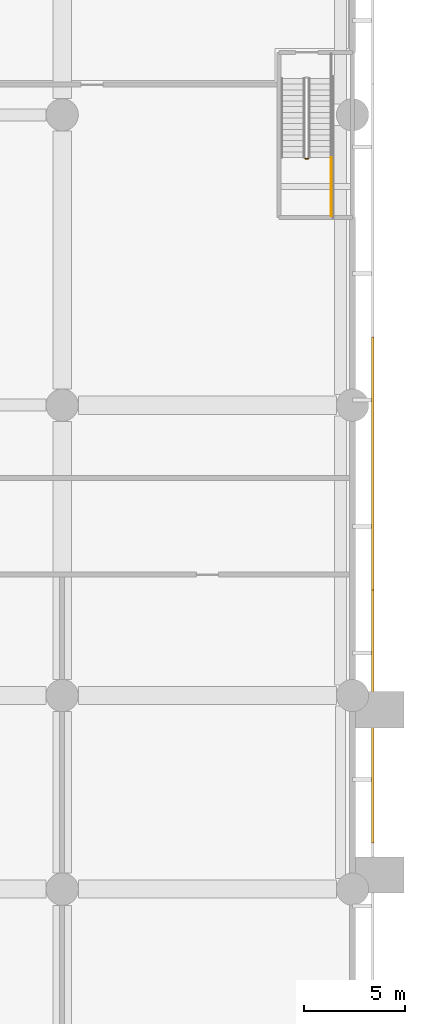
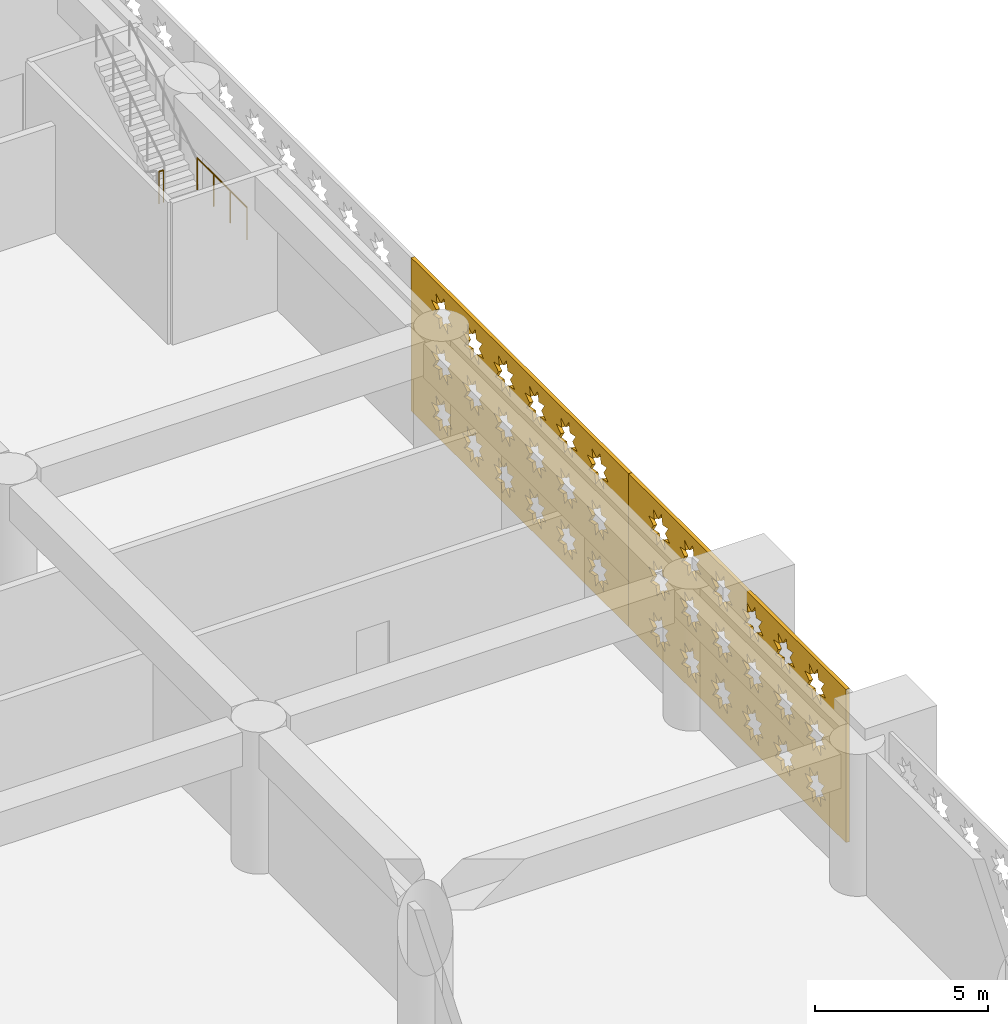
# One storey, part 21 of 30: 2 coverings, 2 railings.
"""IFC4 building model written with IfcOpenShell, lengths in metres."""

from ifc_helpers import new_model, si_unit, direction, frame, origin, origin_2d, place, context, subcontext, project, spatial, polyline, circle, outline, extrude, material, layer, layer_set, type_object, element, save


model = new_model("IFC4")

# Units and contexts
model_context = context("Model", 3, precision=1e-05, world=origin(), true_north=direction((0.0, 1.0)))
body_context = subcontext(model_context, "Body", "Model", "MODEL_VIEW")
ifc_project = project(units=[si_unit("LENGTHUNIT", "METRE"), si_unit("AREAUNIT", "SQUARE_METRE"), si_unit("VOLUMEUNIT", "CUBIC_METRE"), si_unit("PLANEANGLEUNIT", "RADIAN"), si_unit("MASSUNIT", "GRAM", prefix="KILO")], contexts=[model_context])

# Site, building, storey
site_placement = place(None, origin())
site = spatial("IfcSite", under=ifc_project, at=site_placement, CompositionType="ELEMENT")
building_placement = place(site_placement, origin())
building = spatial("IfcBuilding", under=site, at=building_placement, Name="Saffron Iwan Residences", CompositionType="ELEMENT")
storey_placement = place(building_placement, frame((0.0, 0.0, 7.800048828125)))
storey = spatial("IfcBuildingStorey", under=building, at=storey_placement, Name="L01", CompositionType="ELEMENT", Elevation=7.800048828125)

# Coverings
ifc_material_1 = material(Name="Terracotta screen, precast concrete C40/50", Category="masonry")
ifc_layer = layer(ifc_material_1, 0.1201171875)
ifc_layer_set = layer_set([ifc_layer], Name="Terracotta screen, precast concrete C40/50")
covering_type = type_object("IfcCoveringType", Name="PODIUM SCREEN GIRIH", PredefinedType="CLADDING", material=ifc_layer_set)
covering_1_placement = place(storey_placement, frame((101.75, 11.895751953125, -0.400146484375), z_axis=(1.0, 0.0, 0.0), x_axis=(0.0, 1.0, 0.0)))
element("IfcCovering", 1, at=covering_1_placement, inside=storey, type_object=covering_type, Name="SCREEN girih terracotta L01 F1.1", PredefinedType="CLADDING", context=body_context, shape_type="SweptSolid", body=[
    extrude(outline(polyline([(0.0, 0.0), (12.545654296875, 0.0), (12.545654296875, 5.39990234375), (0.0, 5.39990234375), (0.0, 0.0)]), holes=[polyline([(2.380859375, 1.02099609375), (2.0556640625, 1.0888671875), (2.1171875, 1.41552734375), (1.839111328125, 1.2333984375), (1.65185546875, 1.508056640625), (1.583984375, 1.1826171875), (1.25732421875, 1.244384765625), (1.439453125, 0.96630859375), (1.164794921875, 0.779052734375), (1.490234375, 0.711181640625), (1.428466796875, 0.384521484375), (1.70654296875, 0.56640625), (1.893798828125, 0.2919921875), (1.9619140625, 0.6171875), (2.288330078125, 0.555419921875), (2.106201171875, 0.833740234375), (2.380859375, 1.02099609375)]), polyline([(2.380859375, 2.821044921875), (2.0556640625, 2.888916015625), (2.1171875, 3.215576171875), (1.839111328125, 3.033447265625), (1.65185546875, 3.30810546875), (1.583984375, 2.982666015625), (1.25732421875, 3.04443359375), (1.439453125, 2.766357421875), (1.164794921875, 2.5791015625), (1.490234375, 2.510986328125), (1.428466796875, 2.1845703125), (1.70654296875, 2.366455078125), (1.893798828125, 2.091796875), (1.9619140625, 2.417236328125), (2.288330078125, 2.35546875), (2.106201171875, 2.6337890625), (2.380859375, 2.821044921875)]), polyline([(2.380859375, 4.62109375), (2.0556640625, 4.68896484375), (2.1171875, 5.015380859375), (1.839111328125, 4.83349609375), (1.65185546875, 5.108154296875), (1.583984375, 4.78271484375), (1.25732421875, 4.844482421875), (1.439453125, 4.56640625), (1.164794921875, 4.37890625), (1.490234375, 4.31103515625), (1.428466796875, 3.984619140625), (1.70654296875, 4.16650390625), (1.893798828125, 3.891845703125), (1.9619140625, 4.21728515625), (2.288330078125, 4.155517578125), (2.106201171875, 4.43359375), (2.380859375, 4.62109375)]), polyline([(4.180908203125, 1.02099609375), (3.855712890625, 1.0888671875), (3.917236328125, 1.41552734375), (3.63916015625, 1.2333984375), (3.451904296875, 1.508056640625), (3.384033203125, 1.1826171875), (3.057373046875, 1.244384765625), (3.239501953125, 0.96630859375), (2.96484375, 0.779052734375), (3.290283203125, 0.711181640625), (3.228515625, 0.384521484375), (3.506591796875, 0.56640625), (3.69384765625, 0.2919921875), (3.76171875, 0.6171875), (4.08837890625, 0.555419921875), (3.90625, 0.833740234375), (4.180908203125, 1.02099609375)]), polyline([(4.180908203125, 2.821044921875), (3.855712890625, 2.888916015625), (3.917236328125, 3.215576171875), (3.63916015625, 3.033447265625), (3.451904296875, 3.30810546875), (3.384033203125, 2.982666015625), (3.057373046875, 3.04443359375), (3.239501953125, 2.766357421875), (2.96484375, 2.5791015625), (3.290283203125, 2.510986328125), (3.228515625, 2.1845703125), (3.506591796875, 2.366455078125), (3.69384765625, 2.091796875), (3.76171875, 2.417236328125), (4.08837890625, 2.35546875), (3.90625, 2.6337890625), (4.180908203125, 2.821044921875)]), polyline([(4.180908203125, 4.62109375), (3.855712890625, 4.68896484375), (3.917236328125, 5.015380859375), (3.63916015625, 4.83349609375), (3.451904296875, 5.108154296875), (3.384033203125, 4.78271484375), (3.057373046875, 4.844482421875), (3.239501953125, 4.56640625), (2.96484375, 4.37890625), (3.290283203125, 4.31103515625), (3.228515625, 3.984619140625), (3.506591796875, 4.16650390625), (3.69384765625, 3.891845703125), (3.76171875, 4.21728515625), (4.08837890625, 4.155517578125), (3.90625, 4.43359375), (4.180908203125, 4.62109375)]), polyline([(5.98095703125, 1.02099609375), (5.655517578125, 1.0888671875), (5.71728515625, 1.41552734375), (5.439208984375, 1.2333984375), (5.251953125, 1.508056640625), (5.18408203125, 1.1826171875), (4.857421875, 1.244384765625), (5.039306640625, 0.96630859375), (4.764892578125, 0.779052734375), (5.090087890625, 0.711181640625), (5.0283203125, 0.384521484375), (5.306396484375, 0.56640625), (5.493896484375, 0.2919921875), (5.561767578125, 0.6171875), (5.888427734375, 0.555419921875), (5.706298828125, 0.833740234375), (5.98095703125, 1.02099609375)]), polyline([(5.98095703125, 2.821044921875), (5.655517578125, 2.888916015625), (5.71728515625, 3.215576171875), (5.439208984375, 3.033447265625), (5.251953125, 3.30810546875), (5.18408203125, 2.982666015625), (4.857421875, 3.04443359375), (5.039306640625, 2.766357421875), (4.764892578125, 2.5791015625), (5.090087890625, 2.510986328125), (5.0283203125, 2.1845703125), (5.306396484375, 2.366455078125), (5.493896484375, 2.091796875), (5.561767578125, 2.417236328125), (5.888427734375, 2.35546875), (5.706298828125, 2.6337890625), (5.98095703125, 2.821044921875)]), polyline([(5.98095703125, 4.62109375), (5.655517578125, 4.68896484375), (5.71728515625, 5.015380859375), (5.439208984375, 4.83349609375), (5.251953125, 5.108154296875), (5.18408203125, 4.78271484375), (4.857421875, 4.844482421875), (5.039306640625, 4.56640625), (4.764892578125, 4.37890625), (5.090087890625, 4.31103515625), (5.0283203125, 3.984619140625), (5.306396484375, 4.16650390625), (5.493896484375, 3.891845703125), (5.561767578125, 4.21728515625), (5.888427734375, 4.155517578125), (5.706298828125, 4.43359375), (5.98095703125, 4.62109375)]), polyline([(7.781005859375, 1.02099609375), (7.45556640625, 1.0888671875), (7.517333984375, 1.41552734375), (7.2392578125, 1.2333984375), (7.052001953125, 1.508056640625), (6.98388671875, 1.1826171875), (6.6572265625, 1.244384765625), (6.83935546875, 0.96630859375), (6.564697265625, 0.779052734375), (6.89013671875, 0.711181640625), (6.828369140625, 0.384521484375), (7.1064453125, 0.56640625), (7.293701171875, 0.2919921875), (7.36181640625, 0.6171875), (7.6884765625, 0.555419921875), (7.50634765625, 0.833740234375), (7.781005859375, 1.02099609375)]), polyline([(7.781005859375, 2.821044921875), (7.45556640625, 2.888916015625), (7.517333984375, 3.215576171875), (7.2392578125, 3.033447265625), (7.052001953125, 3.30810546875), (6.98388671875, 2.982666015625), (6.6572265625, 3.04443359375), (6.83935546875, 2.766357421875), (6.564697265625, 2.5791015625), (6.89013671875, 2.510986328125), (6.828369140625, 2.1845703125), (7.1064453125, 2.366455078125), (7.293701171875, 2.091796875), (7.36181640625, 2.417236328125), (7.6884765625, 2.35546875), (7.50634765625, 2.6337890625), (7.781005859375, 2.821044921875)]), polyline([(7.781005859375, 4.62109375), (7.45556640625, 4.68896484375), (7.517333984375, 5.015380859375), (7.2392578125, 4.83349609375), (7.052001953125, 5.108154296875), (6.98388671875, 4.78271484375), (6.6572265625, 4.844482421875), (6.83935546875, 4.56640625), (6.564697265625, 4.37890625), (6.89013671875, 4.31103515625), (6.828369140625, 3.984619140625), (7.1064453125, 4.16650390625), (7.293701171875, 3.891845703125), (7.36181640625, 4.21728515625), (7.6884765625, 4.155517578125), (7.50634765625, 4.43359375), (7.781005859375, 4.62109375)]), polyline([(9.580810546875, 1.02099609375), (9.255615234375, 1.0888671875), (9.3173828125, 1.41552734375), (9.039306640625, 1.2333984375), (8.851806640625, 1.508056640625), (8.783935546875, 1.1826171875), (8.457275390625, 1.244384765625), (8.639404296875, 0.96630859375), (8.36474609375, 0.779052734375), (8.690185546875, 0.711181640625), (8.62841796875, 0.384521484375), (8.906494140625, 0.56640625), (9.09375, 0.2919921875), (9.161865234375, 0.6171875), (9.48828125, 0.555419921875), (9.306396484375, 0.833740234375), (9.580810546875, 1.02099609375)]), polyline([(9.580810546875, 2.821044921875), (9.255615234375, 2.888916015625), (9.3173828125, 3.215576171875), (9.039306640625, 3.033447265625), (8.851806640625, 3.30810546875), (8.783935546875, 2.982666015625), (8.457275390625, 3.04443359375), (8.639404296875, 2.766357421875), (8.36474609375, 2.5791015625), (8.690185546875, 2.510986328125), (8.62841796875, 2.1845703125), (8.906494140625, 2.366455078125), (9.09375, 2.091796875), (9.161865234375, 2.417236328125), (9.48828125, 2.35546875), (9.306396484375, 2.6337890625), (9.580810546875, 2.821044921875)]), polyline([(9.580810546875, 4.62109375), (9.255615234375, 4.68896484375), (9.3173828125, 5.015380859375), (9.039306640625, 4.83349609375), (8.851806640625, 5.108154296875), (8.783935546875, 4.78271484375), (8.457275390625, 4.844482421875), (8.639404296875, 4.56640625), (8.36474609375, 4.37890625), (8.690185546875, 4.31103515625), (8.62841796875, 3.984619140625), (8.906494140625, 4.16650390625), (9.09375, 3.891845703125), (9.161865234375, 4.21728515625), (9.48828125, 4.155517578125), (9.306396484375, 4.43359375), (9.580810546875, 4.62109375)]), polyline([(11.380859375, 1.02099609375), (11.0556640625, 1.0888671875), (11.1171875, 1.41552734375), (10.839111328125, 1.2333984375), (10.65185546875, 1.508056640625), (10.583984375, 1.1826171875), (10.25732421875, 1.244384765625), (10.439453125, 0.96630859375), (10.164794921875, 0.779052734375), (10.490234375, 0.711181640625), (10.428466796875, 0.384521484375), (10.70654296875, 0.56640625), (10.893798828125, 0.2919921875), (10.9619140625, 0.6171875), (11.288330078125, 0.555419921875), (11.106201171875, 0.833740234375), (11.380859375, 1.02099609375)]), polyline([(11.380859375, 2.821044921875), (11.0556640625, 2.888916015625), (11.1171875, 3.215576171875), (10.839111328125, 3.033447265625), (10.65185546875, 3.30810546875), (10.583984375, 2.982666015625), (10.25732421875, 3.04443359375), (10.439453125, 2.766357421875), (10.164794921875, 2.5791015625), (10.490234375, 2.510986328125), (10.428466796875, 2.1845703125), (10.70654296875, 2.366455078125), (10.893798828125, 2.091796875), (10.9619140625, 2.417236328125), (11.288330078125, 2.35546875), (11.106201171875, 2.6337890625), (11.380859375, 2.821044921875)]), polyline([(11.380859375, 4.62109375), (11.0556640625, 4.68896484375), (11.1171875, 5.015380859375), (10.839111328125, 4.83349609375), (10.65185546875, 5.108154296875), (10.583984375, 4.78271484375), (10.25732421875, 4.844482421875), (10.439453125, 4.56640625), (10.164794921875, 4.37890625), (10.490234375, 4.31103515625), (10.428466796875, 3.984619140625), (10.70654296875, 4.16650390625), (10.893798828125, 3.891845703125), (10.9619140625, 4.21728515625), (11.288330078125, 4.155517578125), (11.106201171875, 4.43359375), (11.380859375, 4.62109375)])]), origin(), (0.0, 0.0, 1.0), 0.1201171875),
])
covering_2_placement = place(storey_placement, frame((101.75, 24.44140625, -0.400146484375), z_axis=(1.0, 0.0, 0.0), x_axis=(0.0, 1.0, 0.0)))
element("IfcCovering", 2, at=covering_2_placement, inside=storey, type_object=covering_type, Name="SCREEN girih terracotta L01 F1.2", PredefinedType="CLADDING", context=body_context, shape_type="SweptSolid", body=[
    extrude(outline(polyline([(0.0, 0.0), (12.545654296875, 0.0), (12.545654296875, 5.39990234375), (0.0, 5.39990234375), (0.0, 0.0)]), holes=[polyline([(2.380859375, 1.02099609375), (2.0556640625, 1.0888671875), (2.1171875, 1.41552734375), (1.839111328125, 1.2333984375), (1.65185546875, 1.508056640625), (1.583984375, 1.1826171875), (1.25732421875, 1.244384765625), (1.439453125, 0.96630859375), (1.164794921875, 0.779052734375), (1.490234375, 0.711181640625), (1.428466796875, 0.384521484375), (1.70654296875, 0.56640625), (1.893798828125, 0.2919921875), (1.9619140625, 0.6171875), (2.288330078125, 0.555419921875), (2.106201171875, 0.833740234375), (2.380859375, 1.02099609375)]), polyline([(2.380859375, 2.821044921875), (2.0556640625, 2.888916015625), (2.1171875, 3.215576171875), (1.839111328125, 3.033447265625), (1.65185546875, 3.30810546875), (1.583984375, 2.982666015625), (1.25732421875, 3.04443359375), (1.439453125, 2.766357421875), (1.164794921875, 2.5791015625), (1.490234375, 2.510986328125), (1.428466796875, 2.1845703125), (1.70654296875, 2.366455078125), (1.893798828125, 2.091796875), (1.9619140625, 2.417236328125), (2.288330078125, 2.35546875), (2.106201171875, 2.6337890625), (2.380859375, 2.821044921875)]), polyline([(2.380859375, 4.62109375), (2.0556640625, 4.68896484375), (2.1171875, 5.015380859375), (1.839111328125, 4.83349609375), (1.65185546875, 5.108154296875), (1.583984375, 4.78271484375), (1.25732421875, 4.844482421875), (1.439453125, 4.56640625), (1.164794921875, 4.37890625), (1.490234375, 4.31103515625), (1.428466796875, 3.984619140625), (1.70654296875, 4.16650390625), (1.893798828125, 3.891845703125), (1.9619140625, 4.21728515625), (2.288330078125, 4.155517578125), (2.106201171875, 4.43359375), (2.380859375, 4.62109375)]), polyline([(4.180908203125, 1.02099609375), (3.855712890625, 1.0888671875), (3.917236328125, 1.41552734375), (3.63916015625, 1.2333984375), (3.451904296875, 1.508056640625), (3.384033203125, 1.1826171875), (3.057373046875, 1.244384765625), (3.239501953125, 0.96630859375), (2.96484375, 0.779052734375), (3.290283203125, 0.711181640625), (3.228515625, 0.384521484375), (3.506591796875, 0.56640625), (3.69384765625, 0.2919921875), (3.76171875, 0.6171875), (4.08837890625, 0.555419921875), (3.90625, 0.833740234375), (4.180908203125, 1.02099609375)]), polyline([(4.180908203125, 2.821044921875), (3.855712890625, 2.888916015625), (3.917236328125, 3.215576171875), (3.63916015625, 3.033447265625), (3.451904296875, 3.30810546875), (3.384033203125, 2.982666015625), (3.057373046875, 3.04443359375), (3.239501953125, 2.766357421875), (2.96484375, 2.5791015625), (3.290283203125, 2.510986328125), (3.228515625, 2.1845703125), (3.506591796875, 2.366455078125), (3.69384765625, 2.091796875), (3.76171875, 2.417236328125), (4.08837890625, 2.35546875), (3.90625, 2.6337890625), (4.180908203125, 2.821044921875)]), polyline([(4.180908203125, 4.62109375), (3.855712890625, 4.68896484375), (3.917236328125, 5.015380859375), (3.63916015625, 4.83349609375), (3.451904296875, 5.108154296875), (3.384033203125, 4.78271484375), (3.057373046875, 4.844482421875), (3.239501953125, 4.56640625), (2.96484375, 4.37890625), (3.290283203125, 4.31103515625), (3.228515625, 3.984619140625), (3.506591796875, 4.16650390625), (3.69384765625, 3.891845703125), (3.76171875, 4.21728515625), (4.08837890625, 4.155517578125), (3.90625, 4.43359375), (4.180908203125, 4.62109375)]), polyline([(5.98095703125, 1.02099609375), (5.655517578125, 1.0888671875), (5.71728515625, 1.41552734375), (5.439208984375, 1.2333984375), (5.251953125, 1.508056640625), (5.18408203125, 1.1826171875), (4.857421875, 1.244384765625), (5.039306640625, 0.96630859375), (4.764892578125, 0.779052734375), (5.090087890625, 0.711181640625), (5.0283203125, 0.384521484375), (5.306396484375, 0.56640625), (5.493896484375, 0.2919921875), (5.561767578125, 0.6171875), (5.888427734375, 0.555419921875), (5.706298828125, 0.833740234375), (5.98095703125, 1.02099609375)]), polyline([(5.98095703125, 2.821044921875), (5.655517578125, 2.888916015625), (5.71728515625, 3.215576171875), (5.439208984375, 3.033447265625), (5.251953125, 3.30810546875), (5.18408203125, 2.982666015625), (4.857421875, 3.04443359375), (5.039306640625, 2.766357421875), (4.764892578125, 2.5791015625), (5.090087890625, 2.510986328125), (5.0283203125, 2.1845703125), (5.306396484375, 2.366455078125), (5.493896484375, 2.091796875), (5.561767578125, 2.417236328125), (5.888427734375, 2.35546875), (5.706298828125, 2.6337890625), (5.98095703125, 2.821044921875)]), polyline([(5.98095703125, 4.62109375), (5.655517578125, 4.68896484375), (5.71728515625, 5.015380859375), (5.439208984375, 4.83349609375), (5.251953125, 5.108154296875), (5.18408203125, 4.78271484375), (4.857421875, 4.844482421875), (5.039306640625, 4.56640625), (4.764892578125, 4.37890625), (5.090087890625, 4.31103515625), (5.0283203125, 3.984619140625), (5.306396484375, 4.16650390625), (5.493896484375, 3.891845703125), (5.561767578125, 4.21728515625), (5.888427734375, 4.155517578125), (5.706298828125, 4.43359375), (5.98095703125, 4.62109375)]), polyline([(7.781005859375, 1.02099609375), (7.45556640625, 1.0888671875), (7.517333984375, 1.41552734375), (7.2392578125, 1.2333984375), (7.052001953125, 1.508056640625), (6.98388671875, 1.1826171875), (6.6572265625, 1.244384765625), (6.83935546875, 0.96630859375), (6.564697265625, 0.779052734375), (6.89013671875, 0.711181640625), (6.828369140625, 0.384521484375), (7.1064453125, 0.56640625), (7.293701171875, 0.2919921875), (7.36181640625, 0.6171875), (7.6884765625, 0.555419921875), (7.50634765625, 0.833740234375), (7.781005859375, 1.02099609375)]), polyline([(7.781005859375, 2.821044921875), (7.45556640625, 2.888916015625), (7.517333984375, 3.215576171875), (7.2392578125, 3.033447265625), (7.052001953125, 3.30810546875), (6.98388671875, 2.982666015625), (6.6572265625, 3.04443359375), (6.83935546875, 2.766357421875), (6.564697265625, 2.5791015625), (6.89013671875, 2.510986328125), (6.828369140625, 2.1845703125), (7.1064453125, 2.366455078125), (7.293701171875, 2.091796875), (7.36181640625, 2.417236328125), (7.6884765625, 2.35546875), (7.50634765625, 2.6337890625), (7.781005859375, 2.821044921875)]), polyline([(7.781005859375, 4.62109375), (7.45556640625, 4.68896484375), (7.517333984375, 5.015380859375), (7.2392578125, 4.83349609375), (7.052001953125, 5.108154296875), (6.98388671875, 4.78271484375), (6.6572265625, 4.844482421875), (6.83935546875, 4.56640625), (6.564697265625, 4.37890625), (6.89013671875, 4.31103515625), (6.828369140625, 3.984619140625), (7.1064453125, 4.16650390625), (7.293701171875, 3.891845703125), (7.36181640625, 4.21728515625), (7.6884765625, 4.155517578125), (7.50634765625, 4.43359375), (7.781005859375, 4.62109375)]), polyline([(9.580810546875, 1.02099609375), (9.255615234375, 1.0888671875), (9.3173828125, 1.41552734375), (9.039306640625, 1.2333984375), (8.851806640625, 1.508056640625), (8.783935546875, 1.1826171875), (8.457275390625, 1.244384765625), (8.639404296875, 0.96630859375), (8.36474609375, 0.779052734375), (8.690185546875, 0.711181640625), (8.62841796875, 0.384521484375), (8.906494140625, 0.56640625), (9.09375, 0.2919921875), (9.161865234375, 0.6171875), (9.48828125, 0.555419921875), (9.306396484375, 0.833740234375), (9.580810546875, 1.02099609375)]), polyline([(9.580810546875, 2.821044921875), (9.255615234375, 2.888916015625), (9.3173828125, 3.215576171875), (9.039306640625, 3.033447265625), (8.851806640625, 3.30810546875), (8.783935546875, 2.982666015625), (8.457275390625, 3.04443359375), (8.639404296875, 2.766357421875), (8.36474609375, 2.5791015625), (8.690185546875, 2.510986328125), (8.62841796875, 2.1845703125), (8.906494140625, 2.366455078125), (9.09375, 2.091796875), (9.161865234375, 2.417236328125), (9.48828125, 2.35546875), (9.306396484375, 2.6337890625), (9.580810546875, 2.821044921875)]), polyline([(9.580810546875, 4.62109375), (9.255615234375, 4.68896484375), (9.3173828125, 5.015380859375), (9.039306640625, 4.83349609375), (8.851806640625, 5.108154296875), (8.783935546875, 4.78271484375), (8.457275390625, 4.844482421875), (8.639404296875, 4.56640625), (8.36474609375, 4.37890625), (8.690185546875, 4.31103515625), (8.62841796875, 3.984619140625), (8.906494140625, 4.16650390625), (9.09375, 3.891845703125), (9.161865234375, 4.21728515625), (9.48828125, 4.155517578125), (9.306396484375, 4.43359375), (9.580810546875, 4.62109375)]), polyline([(11.380859375, 1.02099609375), (11.0556640625, 1.0888671875), (11.1171875, 1.41552734375), (10.839111328125, 1.2333984375), (10.65185546875, 1.508056640625), (10.583984375, 1.1826171875), (10.25732421875, 1.244384765625), (10.439453125, 0.96630859375), (10.164794921875, 0.779052734375), (10.490234375, 0.711181640625), (10.428466796875, 0.384521484375), (10.70654296875, 0.56640625), (10.893798828125, 0.2919921875), (10.9619140625, 0.6171875), (11.288330078125, 0.555419921875), (11.106201171875, 0.833740234375), (11.380859375, 1.02099609375)]), polyline([(11.380859375, 2.821044921875), (11.0556640625, 2.888916015625), (11.1171875, 3.215576171875), (10.839111328125, 3.033447265625), (10.65185546875, 3.30810546875), (10.583984375, 2.982666015625), (10.25732421875, 3.04443359375), (10.439453125, 2.766357421875), (10.164794921875, 2.5791015625), (10.490234375, 2.510986328125), (10.428466796875, 2.1845703125), (10.70654296875, 2.366455078125), (10.893798828125, 2.091796875), (10.9619140625, 2.417236328125), (11.288330078125, 2.35546875), (11.106201171875, 2.6337890625), (11.380859375, 2.821044921875)]), polyline([(11.380859375, 4.62109375), (11.0556640625, 4.68896484375), (11.1171875, 5.015380859375), (10.839111328125, 4.83349609375), (10.65185546875, 5.108154296875), (10.583984375, 4.78271484375), (10.25732421875, 4.844482421875), (10.439453125, 4.56640625), (10.164794921875, 4.37890625), (10.490234375, 4.31103515625), (10.428466796875, 3.984619140625), (10.70654296875, 4.16650390625), (10.893798828125, 3.891845703125), (10.9619140625, 4.21728515625), (11.288330078125, 4.155517578125), (11.106201171875, 4.43359375), (11.380859375, 4.62109375)])]), origin(), (0.0, 0.0, 1.0), 0.1201171875),
])

# Railings
ifc_material_2 = material(Name="Steel S355", Category="steel")
railing_type = type_object("IfcRailingType", Name="Podium stair guard 1150", PredefinedType="GUARDRAIL", material=ifc_material_2)
railing_1_placement = place(storey_placement, frame((98.449951171875, 45.830078125, 2.699951171875)))
element("IfcRailing", 3, at=railing_1_placement, inside=storey, type_object=railing_type, Name="L01 PS2 stair guard 2", PredefinedType="GUARDRAIL", context=body_context, shape_type="SweptSolid", body=[
    extrude(circle(Radius=0.02392578125, at=origin_2d()), frame((0.0, 0.0, 1.1259765625), z_axis=(1.0, 0.0, 0.0), x_axis=(0.0, 1.0, 0.0)), (0.0, 0.0, 1.0), 0.150146484375),
    extrude(circle(Radius=0.02099609375, at=origin_2d()), origin(), (0.0, 0.0, 1.0), 1.101806640625),
    extrude(circle(Radius=0.02099609375, at=origin_2d()), frame((0.150146484375, 0.0, 0.0)), (0.0, 0.0, 1.0), 1.101806640625),
])
railing_2_placement = place(storey_placement, frame((99.75, 45.8798828125, 2.699951171875)))
element("IfcRailing", 4, at=railing_2_placement, inside=storey, type_object=railing_type, Name="L01 PS2 stair guard 3", PredefinedType="GUARDRAIL", context=body_context, shape_type="SweptSolid", body=[
    extrude(circle(Radius=0.02392578125, at=origin_2d()), frame((0.0, 0.0, 1.1259765625), z_axis=(0.0, -1.0, 0.0), x_axis=(1.0, 0.0, 0.0)), (0.0, 0.0, 1.0), 2.8798828125),
    extrude(circle(Radius=0.02099609375, at=origin_2d()), origin(), (0.0, 0.0, 1.0), 1.101806640625),
    extrude(circle(Radius=0.02099609375, at=origin_2d()), frame((0.0, -0.9599609375, 0.0)), (0.0, 0.0, 1.0), 1.101806640625),
    extrude(circle(Radius=0.02099609375, at=origin_2d()), frame((0.0, -1.919921875, 0.0)), (0.0, 0.0, 1.0), 1.101806640625),
    extrude(circle(Radius=0.02099609375, at=origin_2d()), frame((0.0, -2.8798828125, 0.0)), (0.0, 0.0, 1.0), 1.101806640625),
])

save(model, "model.ifc")
